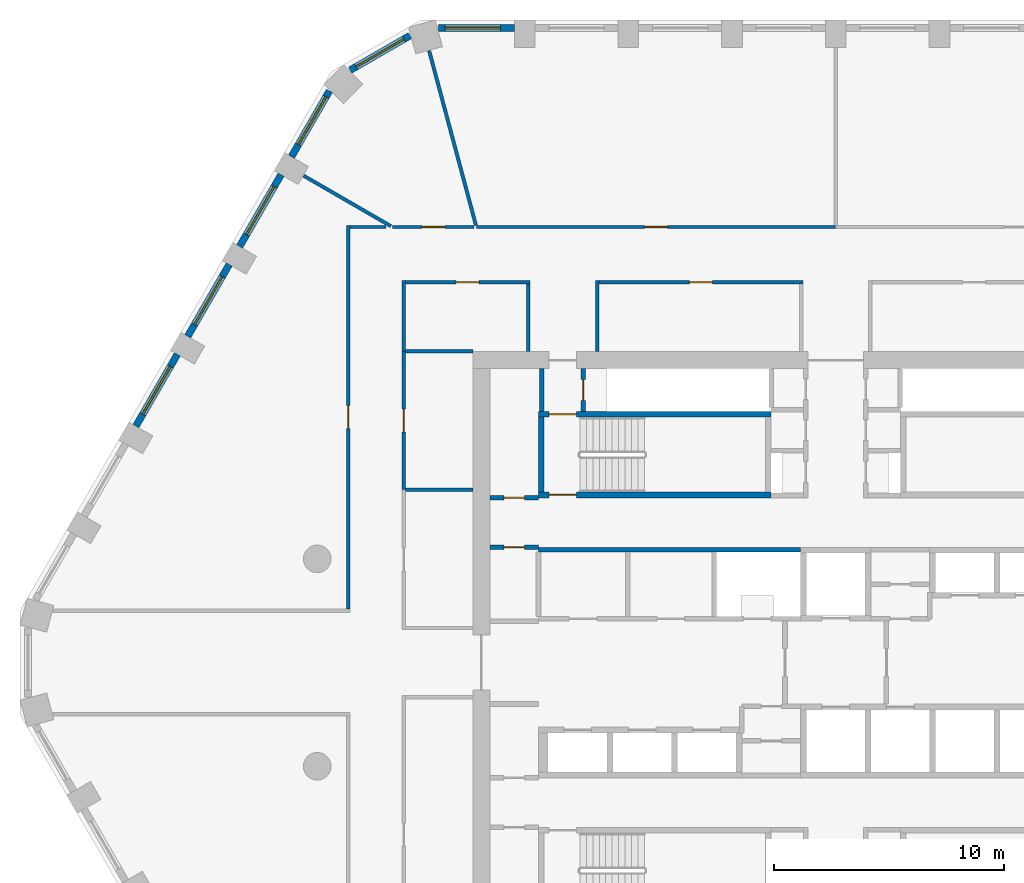
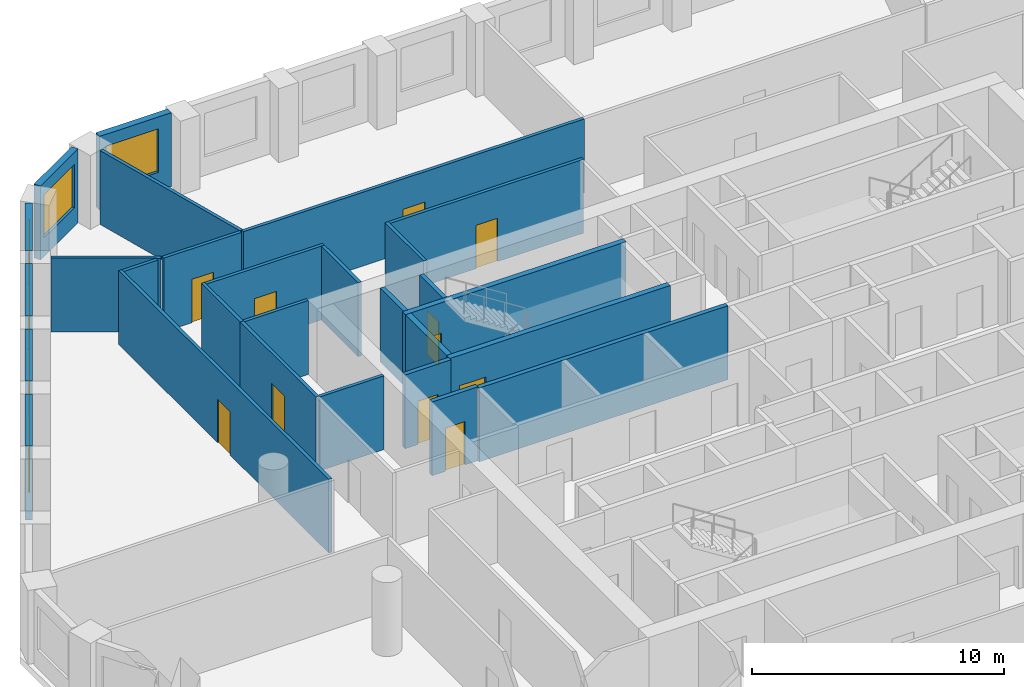
# One storey, part 6 of 10: 28 walls, 11 doors, 6 windows, 17 openings.
"""IFC4 building model written with IfcOpenShell, lengths in metres."""

from ifc_helpers import new_model, si_unit, direction, frame, frame_2d, origin, place, context, subcontext, project, spatial, rectangle, extrude, material, layer, layer_set, type_object, element, fill, save


model = new_model("IFC4")

# Units and contexts
model_context = context("Model", 3, precision=1e-05, world=origin(), true_north=direction((0.0, 1.0)))
body_context = subcontext(model_context, "Body", "Model", "MODEL_VIEW")
ifc_project = project(units=[si_unit("LENGTHUNIT", "METRE"), si_unit("AREAUNIT", "SQUARE_METRE"), si_unit("VOLUMEUNIT", "CUBIC_METRE"), si_unit("PLANEANGLEUNIT", "RADIAN"), si_unit("MASSUNIT", "GRAM", prefix="KILO")], contexts=[model_context])

# Site, building, storey
site_placement = place(None, origin())
site = spatial("IfcSite", under=ifc_project, at=site_placement, CompositionType="ELEMENT")
building_placement = place(site_placement, origin())
building = spatial("IfcBuilding", under=site, at=building_placement, Name="Dhurran Vertical Campus", CompositionType="ELEMENT")
storey_placement = place(building_placement, frame((0.0, 0.0, 152.10009765625)))
storey = spatial("IfcBuildingStorey", under=building, at=storey_placement, Name="L37", CompositionType="ELEMENT", Elevation=152.10009765625)

# Wall, opening, window
ifc_material_1 = material(Name="Precast concrete C50/60", Category="concrete")
ifc_layer_1 = layer(ifc_material_1, 0.300048828125)
ifc_layer_set_1 = layer_set([ifc_layer_1], Name="Precast concrete C50/60")
wall_type_1 = type_object("IfcWallType", Name="Precast spandrel wall 300", PredefinedType="SOLIDWALL", material=ifc_layer_set_1)
wall_1_placement = place(storey_placement, frame((-13.950439453125, 27.53271484375, 0.0), z_axis=(0.0, 0.0, 1.0), x_axis=(-1.0, 0.0, 0.0)))
wall_1 = element("IfcWall", 1, at=wall_1_placement, inside=storey, type_object=wall_type_1, Name="EW1 L37.30", PredefinedType="SOLIDWALL", context=body_context, shape_type="SweptSolid", body=[
    extrude(rectangle(XDim=3.294189453125, YDim=0.300048828125, at=frame_2d((1.64697265625, 0.0))), origin(), (0.0, 0.0, 1.0), 3.574951171875),
])
opening_1_placement = place(wall_1_placement, frame((0.599609375, 0.0, 0.89990234375)))
opening_1 = element("IfcOpeningElement", 2, at=opening_1_placement, cuts=wall_1, Name="Opening WT1", PredefinedType="OPENING", context=body_context, shape_type="SweptSolid", body=[
    extrude(rectangle(XDim=2.39990234375, YDim=2.10009765625, at=frame_2d((1.199951171875, 1.050048828125))), frame((0.0, 0.159912109375, 0.0), z_axis=(0.0, -1.0, 0.0), x_axis=(1.0, 0.0, 0.0)), (0.0, 0.0, 1.0), 0.320068359375),
])
ifc_material_2 = material(Name="Aluminium frame with solar-control glass", Category="aluminium")
window_type = type_object("IfcWindowType", Name="Punched window 2400 x 2100", PartitioningType="SINGLE_PANEL", PredefinedType="WINDOW", material=ifc_material_2)
window_1_placement = place(opening_1_placement, origin())
window_1 = element("IfcWindow", 3, at=window_1_placement, inside=storey, type_object=window_type, Name="WT1 L37.30", OverallHeight=2.10009765625, OverallWidth=2.39990234375, PartitioningType="SINGLE_PANEL", PredefinedType="WINDOW", context=body_context, shape_type="SweptSolid", body=[
    extrude(rectangle(XDim=2.39990234375, YDim=2.10009765625, at=frame_2d((1.199951171875, 1.050048828125))), frame((0.0, 0.030029296875, 0.0), z_axis=(0.0, -1.0, 0.0), x_axis=(1.0, 0.0, 0.0)), (0.0, 0.0, 1.0), 0.06005859375),
])
fill(opening_1, window_1)

wall_2_placement = place(storey_placement, frame((-18.479248046875, 27.201904296875, 0.0), z_axis=(0.0, 0.0, 1.0), x_axis=(-0.866012844897, -0.500021752, 0.0)))
wall_2 = element("IfcWall", 4, at=wall_2_placement, inside=storey, type_object=wall_type_1, Name="EW1 L37.31", PredefinedType="SOLIDWALL", context=body_context, shape_type="SweptSolid", body=[
    extrude(rectangle(XDim=2.989013671875, YDim=0.300048828125, at=frame_2d((1.49462890625, 0.0))), origin(), (0.0, 0.0, 1.0), 3.574951171875),
])
opening_2_placement = place(wall_2_placement, frame((0.294677734375, 0.0, 0.89990234375)))
opening_2 = element("IfcOpeningElement", 5, at=opening_2_placement, cuts=wall_2, Name="Opening WT1", PredefinedType="OPENING", context=body_context, shape_type="SweptSolid", body=[
    extrude(rectangle(XDim=2.39990234375, YDim=2.10009765625, at=frame_2d((1.199951171875, 1.050048828125))), frame((0.0, 0.159912109375, 0.0), z_axis=(0.0, -1.0, 0.0), x_axis=(1.0, 0.0, 0.0)), (0.0, 0.0, 1.0), 0.320068359375),
])
window_2_placement = place(opening_2_placement, origin())
window_2 = element("IfcWindow", 6, at=window_2_placement, inside=storey, type_object=window_type, Name="WT1 L37.31", OverallHeight=2.10009765625, OverallWidth=2.39990234375, PartitioningType="SINGLE_PANEL", PredefinedType="WINDOW", context=body_context, shape_type="SweptSolid", body=[
    extrude(rectangle(XDim=2.39990234375, YDim=2.10009765625, at=frame_2d((1.199951171875, 1.050048828125))), frame((0.0, 0.030029296875, 0.0), z_axis=(0.0, -1.0, 0.0), x_axis=(1.0, 0.0, 0.0)), (0.0, 0.0, 1.0), 0.06005859375),
])
fill(opening_2, window_2)

wall_3_placement = place(storey_placement, frame((-21.9716796875, 24.803466796875, 0.0), z_axis=(0.0, 0.0, 1.0), x_axis=(-0.500036802197, -0.866004154983, 0.0)))
wall_3 = element("IfcWall", 7, at=wall_3_placement, inside=storey, type_object=wall_type_1, Name="EW1 L37.32", PredefinedType="SOLIDWALL", context=body_context, shape_type="SweptSolid", body=[
    extrude(rectangle(XDim=3.294189453125, YDim=0.300048828125, at=frame_2d((1.64697265625, 0.0))), origin(), (0.0, 0.0, 1.0), 3.574951171875),
])
opening_3_placement = place(wall_3_placement, frame((0.29443359375, 0.0, 0.89990234375)))
opening_3 = element("IfcOpeningElement", 8, at=opening_3_placement, cuts=wall_3, Name="Opening WT1", PredefinedType="OPENING", context=body_context, shape_type="SweptSolid", body=[
    extrude(rectangle(XDim=2.39990234375, YDim=2.10009765625, at=frame_2d((1.199951171875, 1.050048828125))), frame((0.0, 0.159912109375, 0.0), z_axis=(0.0, -1.0, 0.0), x_axis=(1.0, 0.0, 0.0)), (0.0, 0.0, 1.0), 0.320068359375),
])
window_3_placement = place(opening_3_placement, origin())
window_3 = element("IfcWindow", 9, at=window_3_placement, inside=storey, type_object=window_type, Name="WT1 L37.32", OverallHeight=2.10009765625, OverallWidth=2.39990234375, PartitioningType="SINGLE_PANEL", PredefinedType="WINDOW", context=body_context, shape_type="SweptSolid", body=[
    extrude(rectangle(XDim=2.39990234375, YDim=2.10009765625, at=frame_2d((1.199951171875, 1.050048828125))), frame((0.0, 0.030029296875, 0.0), z_axis=(0.0, -1.0, 0.0), x_axis=(1.0, 0.0, 0.0)), (0.0, 0.0, 1.0), 0.06005859375),
])
fill(opening_3, window_3)

wall_4_placement = place(storey_placement, frame((-24.0693359375, 21.17041015625, 0.0), z_axis=(0.0, 0.0, 1.0), x_axis=(-0.500027802648, -0.866009351323, 0.0)))
wall_4 = element("IfcWall", 10, at=wall_4_placement, inside=storey, type_object=wall_type_1, Name="EW1 L37.33", PredefinedType="SOLIDWALL", context=body_context, shape_type="SweptSolid", body=[
    extrude(rectangle(XDim=3.598876953125, YDim=0.300048828125, at=frame_2d((1.79931640625, 0.0))), origin(), (0.0, 0.0, 1.0), 3.574951171875),
])
opening_4_placement = place(wall_4_placement, frame((0.599609375, 0.0, 0.89990234375)))
opening_4 = element("IfcOpeningElement", 11, at=opening_4_placement, cuts=wall_4, Name="Opening WT1", PredefinedType="OPENING", context=body_context, shape_type="SweptSolid", body=[
    extrude(rectangle(XDim=2.39990234375, YDim=2.10009765625, at=frame_2d((1.199951171875, 1.050048828125))), frame((0.0, 0.159912109375, 0.0), z_axis=(0.0, -1.0, 0.0), x_axis=(1.0, 0.0, 0.0)), (0.0, 0.0, 1.0), 0.320068359375),
])
window_4_placement = place(opening_4_placement, origin())
window_4 = element("IfcWindow", 12, at=window_4_placement, inside=storey, type_object=window_type, Name="WT1 L37.33", OverallHeight=2.10009765625, OverallWidth=2.39990234375, PartitioningType="SINGLE_PANEL", PredefinedType="WINDOW", context=body_context, shape_type="SweptSolid", body=[
    extrude(rectangle(XDim=2.39990234375, YDim=2.10009765625, at=frame_2d((1.199951171875, 1.050048828125))), frame((0.0, 0.030029296875, 0.0), z_axis=(0.0, -1.0, 0.0), x_axis=(1.0, 0.0, 0.0)), (0.0, 0.0, 1.0), 0.06005859375),
])
fill(opening_4, window_4)

wall_5_placement = place(storey_placement, frame((-26.3193359375, 17.273193359375, 0.0), z_axis=(0.0, 0.0, 1.0), x_axis=(-0.500027802648, -0.866009351323, 0.0)))
wall_5 = element("IfcWall", 13, at=wall_5_placement, inside=storey, type_object=wall_type_1, Name="EW1 L37.34", PredefinedType="SOLIDWALL", context=body_context, shape_type="SweptSolid", body=[
    extrude(rectangle(XDim=3.598876953125, YDim=0.300048828125, at=frame_2d((1.79931640625, 0.0))), origin(), (0.0, 0.0, 1.0), 3.574951171875),
])
opening_5_placement = place(wall_5_placement, frame((0.599609375, 0.0, 0.89990234375)))
opening_5 = element("IfcOpeningElement", 14, at=opening_5_placement, cuts=wall_5, Name="Opening WT1", PredefinedType="OPENING", context=body_context, shape_type="SweptSolid", body=[
    extrude(rectangle(XDim=2.39990234375, YDim=2.10009765625, at=frame_2d((1.199951171875, 1.050048828125))), frame((0.0, 0.159912109375, 0.0), z_axis=(0.0, -1.0, 0.0), x_axis=(1.0, 0.0, 0.0)), (0.0, 0.0, 1.0), 0.320068359375),
])
window_5_placement = place(opening_5_placement, origin())
window_5 = element("IfcWindow", 15, at=window_5_placement, inside=storey, type_object=window_type, Name="WT1 L37.34", OverallHeight=2.10009765625, OverallWidth=2.39990234375, PartitioningType="SINGLE_PANEL", PredefinedType="WINDOW", context=body_context, shape_type="SweptSolid", body=[
    extrude(rectangle(XDim=2.39990234375, YDim=2.10009765625, at=frame_2d((1.199951171875, 1.050048828125))), frame((0.0, 0.030029296875, 0.0), z_axis=(0.0, -1.0, 0.0), x_axis=(1.0, 0.0, 0.0)), (0.0, 0.0, 1.0), 0.06005859375),
])
fill(opening_5, window_5)

wall_6_placement = place(storey_placement, frame((-28.5693359375, 13.376220703125, 0.0), z_axis=(0.0, 0.0, 1.0), x_axis=(-0.500027802648, -0.866009351323, 0.0)))
wall_6 = element("IfcWall", 16, at=wall_6_placement, inside=storey, type_object=wall_type_1, Name="EW1 L37.35", PredefinedType="SOLIDWALL", context=body_context, shape_type="SweptSolid", body=[
    extrude(rectangle(XDim=3.598876953125, YDim=0.300048828125, at=frame_2d((1.79931640625, 0.0))), origin(), (0.0, 0.0, 1.0), 3.574951171875),
])
opening_6_placement = place(wall_6_placement, frame((0.599609375, 0.0, 0.89990234375)))
opening_6 = element("IfcOpeningElement", 17, at=opening_6_placement, cuts=wall_6, Name="Opening WT1", PredefinedType="OPENING", context=body_context, shape_type="SweptSolid", body=[
    extrude(rectangle(XDim=2.39990234375, YDim=2.10009765625, at=frame_2d((1.199951171875, 1.050048828125))), frame((0.0, 0.159912109375, 0.0), z_axis=(0.0, -1.0, 0.0), x_axis=(1.0, 0.0, 0.0)), (0.0, 0.0, 1.0), 0.320068359375),
])
window_6_placement = place(opening_6_placement, origin())
window_6 = element("IfcWindow", 18, at=window_6_placement, inside=storey, type_object=window_type, Name="WT1 L37.35", OverallHeight=2.10009765625, OverallWidth=2.39990234375, PartitioningType="SINGLE_PANEL", PredefinedType="WINDOW", context=body_context, shape_type="SweptSolid", body=[
    extrude(rectangle(XDim=2.39990234375, YDim=2.10009765625, at=frame_2d((1.199951171875, 1.050048828125))), frame((0.0, 0.030029296875, 0.0), z_axis=(0.0, -1.0, 0.0), x_axis=(1.0, 0.0, 0.0)), (0.0, 0.0, 1.0), 0.06005859375),
])
fill(opening_6, window_6)

# Wall
ifc_material_3 = material(Name="Fire-rated masonry blockwork", Category="masonry")
ifc_layer_2 = layer(ifc_material_3, 0.199951171875)
ifc_layer_set_2 = layer_set([ifc_layer_2], Name="Fire-rated masonry blockwork")
wall_type_2 = type_object("IfcWallType", Name="co-FIRE-PARTITION-200", PredefinedType="PARTITIONING", material=ifc_layer_set_2)
wall_7_placement = place(storey_placement, frame((-12.75, 10.89990234375, 0.0), z_axis=(0.0, 0.0, 1.0), x_axis=(0.0, 1.0, 0.0)))
element("IfcWall", 19, at=wall_7_placement, inside=storey, type_object=wall_type_2, Name="Core partition pass-ST1-o L37", PredefinedType="PARTITIONING", context=body_context, shape_type="SweptSolid", body=[
    extrude(rectangle(XDim=1.85009765625, YDim=0.199951171875, at=frame_2d((0.925048828125, 0.0))), origin(), (0.0, 0.0, 1.0), 3.574951171875),
])

# Wall, opening, door
wall_8_placement = place(storey_placement, frame((-10.949951171875, 10.89990234375, 0.0), z_axis=(0.0, 0.0, 1.0), x_axis=(0.0, 1.0, 0.0)))
wall_8 = element("IfcWall", 20, at=wall_8_placement, inside=storey, type_object=wall_type_2, Name="Core partition pass-ST1-i L37", PredefinedType="PARTITIONING", context=body_context, shape_type="SweptSolid", body=[
    extrude(rectangle(XDim=1.85009765625, YDim=0.199951171875, at=frame_2d((0.925048828125, 0.0))), origin(), (0.0, 0.0, 1.0), 3.574951171875),
])
opening_7_placement = place(wall_8_placement, frame((0.47509765625, 0.0, 0.0)))
opening_7 = element("IfcOpeningElement", 21, at=opening_7_placement, cuts=wall_8, Name="Opening T10-C11", PredefinedType="OPENING", context=body_context, shape_type="SweptSolid", body=[
    extrude(rectangle(XDim=0.89990234375, YDim=2.10009765625, at=frame_2d((0.449951171875, 1.050048828125))), frame((0.0, 0.10986328125, 0.0), z_axis=(0.0, -1.0, 0.0), x_axis=(1.0, 0.0, 0.0)), (0.0, 0.0, 1.0), 0.219970703125),
])
ifc_material_4 = material(Name="Fire-rated timber door set", Category="wood")
door_type_1 = type_object("IfcDoorType", Name="co-D-ROOM 900x2100", OperationType="SINGLE_SWING_LEFT", PredefinedType="DOOR", material=ifc_material_4)
door_1_placement = place(opening_7_placement, origin())
door_1 = element("IfcDoor", 22, at=door_1_placement, inside=storey, type_object=door_type_1, Name="Riser room door L37", OperationType="SINGLE_SWING_LEFT", OverallHeight=2.10009765625, OverallWidth=0.89990234375, PredefinedType="DOOR", context=body_context, shape_type="SweptSolid", body=[
    extrude(rectangle(XDim=0.89990234375, YDim=2.10009765625, at=frame_2d((0.449951171875, 1.050048828125))), frame((0.0, 0.02490234375, 0.0), z_axis=(0.0, -1.0, 0.0), x_axis=(1.0, 0.0, 0.0)), (0.0, 0.0, 1.0), 0.050048828125),
])
fill(opening_7, door_1)

wall_9_placement = place(storey_placement, frame((-15.0, 7.14990234375, 0.0), z_axis=(0.0, 0.0, 1.0), x_axis=(1.0, 0.0, 0.0)))
wall_9 = element("IfcWall", 23, at=wall_9_placement, inside=storey, type_object=wall_type_2, Name="Core partition en-NW-w L37", PredefinedType="PARTITIONING", context=body_context, shape_type="SweptSolid", body=[
    extrude(rectangle(XDim=2.10009765625, YDim=0.199951171875, at=frame_2d((1.050048828125, 0.0))), origin(), (0.0, 0.0, 1.0), 3.574951171875),
])
opening_8_placement = place(wall_9_placement, frame((0.60009765625, 0.0, 0.0)))
opening_8 = element("IfcOpeningElement", 24, at=opening_8_placement, cuts=wall_9, Name="Opening T10-C15", PredefinedType="OPENING", context=body_context, shape_type="SweptSolid", body=[
    extrude(rectangle(XDim=0.89990234375, YDim=2.10009765625, at=frame_2d((0.449951171875, 1.050048828125))), frame((0.0, 0.10986328125, 0.0), z_axis=(0.0, -1.0, 0.0), x_axis=(1.0, 0.0, 0.0)), (0.0, 0.0, 1.0), 0.219970703125),
])
door_2_placement = place(opening_8_placement, origin())
door_2 = element("IfcDoor", 25, at=door_2_placement, inside=storey, type_object=door_type_1, Name="Cleaner's store door L37", OperationType="SINGLE_SWING_LEFT", OverallHeight=2.10009765625, OverallWidth=0.89990234375, PredefinedType="DOOR", context=body_context, shape_type="SweptSolid", body=[
    extrude(rectangle(XDim=0.89990234375, YDim=2.10009765625, at=frame_2d((0.449951171875, 1.050048828125))), frame((0.0, 0.02490234375, 0.0), z_axis=(0.0, -1.0, 0.0), x_axis=(1.0, 0.0, 0.0)), (0.0, 0.0, 1.0), 0.050048828125),
])
fill(opening_8, door_2)

wall_10_placement = place(storey_placement, frame((-15.0, 5.0, 0.0), z_axis=(0.0, 0.0, 1.0), x_axis=(1.0, 0.0, 0.0)))
wall_10 = element("IfcWall", 26, at=wall_10_placement, inside=storey, type_object=wall_type_2, Name="Core partition es-NW-w L37", PredefinedType="PARTITIONING", context=body_context, shape_type="SweptSolid", body=[
    extrude(rectangle(XDim=2.10009765625, YDim=0.199951171875, at=frame_2d((1.050048828125, 0.0))), origin(), (0.0, 0.0, 1.0), 3.574951171875),
])
opening_9_placement = place(wall_10_placement, frame((0.60009765625, 0.0, 0.0)))
opening_9 = element("IfcOpeningElement", 27, at=opening_9_placement, cuts=wall_10, Name="Opening T10-C16", PredefinedType="OPENING", context=body_context, shape_type="SweptSolid", body=[
    extrude(rectangle(XDim=0.89990234375, YDim=2.10009765625, at=frame_2d((0.449951171875, 1.050048828125))), frame((0.0, 0.10986328125, 0.0), z_axis=(0.0, -1.0, 0.0), x_axis=(1.0, 0.0, 0.0)), (0.0, 0.0, 1.0), 0.219970703125),
])
door_3_placement = place(opening_9_placement, origin())
door_3 = element("IfcDoor", 28, at=door_3_placement, inside=storey, type_object=door_type_1, Name="Communications room door L37", OperationType="SINGLE_SWING_LEFT", OverallHeight=2.10009765625, OverallWidth=0.89990234375, PredefinedType="DOOR", context=body_context, shape_type="SweptSolid", body=[
    extrude(rectangle(XDim=0.89990234375, YDim=2.10009765625, at=frame_2d((0.449951171875, 1.050048828125))), frame((0.0, 0.02490234375, 0.0), z_axis=(0.0, -1.0, 0.0), x_axis=(1.0, 0.0, 0.0)), (0.0, 0.0, 1.0), 0.050048828125),
])
fill(opening_9, door_3)

# Wall
wall_11_placement = place(storey_placement, frame((-12.89990234375, 4.89990234375, 0.0), z_axis=(0.0, 0.0, 1.0), x_axis=(1.0, 0.0, 0.0)))
element("IfcWall", 29, at=wall_11_placement, inside=storey, type_object=wall_type_2, Name="Core partition fr-N0-b L37", PredefinedType="PARTITIONING", context=body_context, shape_type="SweptSolid", body=[
    extrude(rectangle(XDim=11.375, YDim=0.199951171875, at=frame_2d((5.6875, 0.0))), origin(), (0.0, 0.0, 1.0), 3.574951171875),
])

# Wall, opening, door
ifc_material_5 = material(Name="Concrete C40/50", Category="concrete")
ifc_layer_3 = layer(ifc_material_5, 0.25)
ifc_layer_set_3 = layer_set([ifc_layer_3], Name="Concrete C40/50")
wall_type_3 = type_object("IfcWallType", Name="co-STAIR-WALL-250", PredefinedType="SHEAR", material=ifc_layer_set_3)
wall_12_placement = place(storey_placement, frame((-12.89990234375, 7.27490234375, 0.0), z_axis=(0.0, 0.0, 1.0), x_axis=(1.0, 0.0, 0.0)))
wall_12 = element("IfcWall", 30, at=wall_12_placement, inside=storey, type_object=wall_type_3, Name="Stair ST1 enclosure wall L37", PredefinedType="SHEAR", context=body_context, shape_type="SweptSolid", body=[
    extrude(rectangle(XDim=10.099853515625, YDim=0.25, at=frame_2d((5.0498046875, 0.0))), origin(), (0.0, 0.0, 1.0), 3.574951171875),
])
opening_10_placement = place(wall_12_placement, frame((0.449951171875, 0.0, 0.0)))
opening_10 = element("IfcOpeningElement", 31, at=opening_10_placement, cuts=wall_12, Name="Opening SD1", PredefinedType="OPENING", context=body_context, shape_type="SweptSolid", body=[
    extrude(rectangle(XDim=1.199951171875, YDim=2.10009765625, at=frame_2d((0.60009765625, 1.050048828125))), frame((0.0, 0.135009765625, 0.0), z_axis=(0.0, -1.0, 0.0), x_axis=(1.0, 0.0, 0.0)), (0.0, 0.0, 1.0), 0.27001953125),
])
ifc_material_6 = material(Name="Fire-rated steel door set", Category="steel")
door_type_2 = type_object("IfcDoorType", Name="co-D-STAIR 1200x2100", OperationType="SINGLE_SWING_LEFT", PredefinedType="DOOR", material=ifc_material_6)
door_4_placement = place(opening_10_placement, origin())
door_4 = element("IfcDoor", 32, at=door_4_placement, inside=storey, type_object=door_type_2, Name="Stair ST1 door L37", OperationType="SINGLE_SWING_LEFT", OverallHeight=2.10009765625, OverallWidth=1.199951171875, PredefinedType="DOOR", context=body_context, shape_type="SweptSolid", body=[
    extrude(rectangle(XDim=1.199951171875, YDim=2.10009765625, at=frame_2d((0.60009765625, 1.050048828125))), frame((0.0, 0.02490234375, 0.0), z_axis=(0.0, -1.0, 0.0), x_axis=(1.0, 0.0, 0.0)), (0.0, 0.0, 1.0), 0.050048828125),
])
fill(opening_10, door_4)

wall_13_placement = place(storey_placement, frame((-12.89990234375, 10.77490234375, 0.0), z_axis=(0.0, 0.0, 1.0), x_axis=(1.0, 0.0, 0.0)))
wall_13 = element("IfcWall", 33, at=wall_13_placement, inside=storey, type_object=wall_type_3, Name="Stair ST1 enclosure wall L37", PredefinedType="SHEAR", context=body_context, shape_type="SweptSolid", body=[
    extrude(rectangle(XDim=10.099853515625, YDim=0.25, at=frame_2d((5.0498046875, 0.0))), origin(), (0.0, 0.0, 1.0), 3.574951171875),
])
opening_11_placement = place(wall_13_placement, frame((0.449951171875, 0.0, 0.0)))
opening_11 = element("IfcOpeningElement", 34, at=opening_11_placement, cuts=wall_13, Name="Opening XS1", PredefinedType="OPENING", context=body_context, shape_type="SweptSolid", body=[
    extrude(rectangle(XDim=1.199951171875, YDim=2.10009765625, at=frame_2d((0.60009765625, 1.050048828125))), frame((0.0, 0.135009765625, 0.0), z_axis=(0.0, -1.0, 0.0), x_axis=(1.0, 0.0, 0.0)), (0.0, 0.0, 1.0), 0.27001953125),
])
ifc_material_7 = material(Name="Fire-rated steel door set", Category="steel")
door_type_3 = type_object("IfcDoorType", Name="co-D-STAIR-EXIT 1200x2100", OperationType="SINGLE_SWING_RIGHT", PredefinedType="DOOR", material=ifc_material_7)
door_5_placement = place(opening_11_placement, origin())
door_5 = element("IfcDoor", 35, at=door_5_placement, inside=storey, type_object=door_type_3, Name="Stair ST1 discharge door L37", OperationType="SINGLE_SWING_RIGHT", OverallHeight=2.10009765625, OverallWidth=1.199951171875, PredefinedType="DOOR", context=body_context, shape_type="SweptSolid", body=[
    extrude(rectangle(XDim=1.199951171875, YDim=2.10009765625, at=frame_2d((0.60009765625, 1.050048828125))), frame((0.0, 0.02490234375, 0.0), z_axis=(0.0, -1.0, 0.0), x_axis=(1.0, 0.0, 0.0)), (0.0, 0.0, 1.0), 0.050048828125),
])
fill(opening_11, door_5)

# Wall
wall_14_placement = place(storey_placement, frame((-12.77490234375, 7.39990234375, 0.0), z_axis=(0.0, 0.0, 1.0), x_axis=(0.0, 1.0, 0.0)))
element("IfcWall", 36, at=wall_14_placement, inside=storey, type_object=wall_type_3, Name="Stair ST1 enclosure wall L37", PredefinedType="SHEAR", context=body_context, shape_type="SweptSolid", body=[
    extrude(rectangle(XDim=3.25, YDim=0.25, at=frame_2d((1.625, 0.0))), origin(), (0.0, 0.0, 1.0), 3.574951171875),
])

# Wall, opening, door
ifc_material_8 = material(Name="Gypsum board corridor wall on steel studs", Category="steel")
ifc_layer_4 = layer(ifc_material_8, 0.14990234375)
ifc_layer_set_4 = layer_set([ifc_layer_4], Name="Gypsum board corridor wall on steel studs")
wall_type_4 = type_object("IfcWallType", Name="fl-CW-150 corridor wall", PredefinedType="PARTITIONING", material=ifc_layer_set_4)
wall_15_placement = place(storey_placement, frame((-21.14990234375, 18.97509765625, 0.0), z_axis=(0.0, 0.0, 1.0), x_axis=(0.0, -1.0, 0.0)))
wall_15 = element("IfcWall", 37, at=wall_15_placement, inside=storey, type_object=wall_type_4, Name="Partition 37-07", PredefinedType="PARTITIONING", context=body_context, shape_type="SweptSolid", body=[
    extrude(rectangle(XDim=16.650146484375, YDim=0.14990234375, at=frame_2d((8.3251953125, 0.0))), origin(), (0.0, 0.0, 1.0), 3.574951171875),
])
opening_12_placement = place(wall_15_placement, frame((7.824951171875, 0.0, 0.0)))
opening_12 = element("IfcOpeningElement", 38, at=opening_12_placement, cuts=wall_15, Name="Opening T10.02", PredefinedType="OPENING", context=body_context, shape_type="SweptSolid", body=[
    extrude(rectangle(XDim=1.0, YDim=2.10009765625, at=frame_2d((0.5, 1.050048828125))), frame((0.0, 0.0849609375, 0.0), z_axis=(0.0, -1.0, 0.0), x_axis=(1.0, 0.0, 0.0)), (0.0, 0.0, 1.0), 0.169921875),
])
ifc_material_9 = material(Name="Solid-core timber door set, fire-rated", Category="wood")
door_type_4 = type_object("IfcDoorType", Name="fl-D-1000x2100", OperationType="SINGLE_SWING_LEFT", PredefinedType="DOOR", material=ifc_material_9)
door_6_placement = place(opening_12_placement, origin())
door_6 = element("IfcDoor", 39, at=door_6_placement, inside=storey, type_object=door_type_4, Name="Door 37.02", OperationType="SINGLE_SWING_LEFT", OverallHeight=2.10009765625, OverallWidth=1.0, PredefinedType="DOOR", context=body_context, shape_type="SweptSolid", body=[
    extrude(rectangle(XDim=1.0, YDim=2.10009765625, at=frame_2d((0.5, 1.050048828125))), frame((0.0, 0.02490234375, 0.0), z_axis=(0.0, -1.0, 0.0), x_axis=(1.0, 0.0, 0.0)), (0.0, 0.0, 1.0), 0.050048828125),
])
fill(opening_12, door_6)

# Wall
wall_16_placement = place(storey_placement, frame((-19.510986328125, 18.89990234375, 0.0), z_axis=(0.0, 0.0, 1.0), x_axis=(-1.0, 0.0, 0.0)))
element("IfcWall", 40, at=wall_16_placement, inside=storey, type_object=wall_type_4, Name="Partition 37-08", PredefinedType="PARTITIONING", context=body_context, shape_type="SweptSolid", body=[
    extrude(rectangle(XDim=1.56396484375, YDim=0.14990234375, at=frame_2d((0.781982421875, 0.0))), origin(), (0.0, 0.0, 1.0), 3.574951171875),
])

# Wall, opening, door
wall_17_placement = place(storey_placement, frame((-15.68798828125, 18.89990234375, 0.0), z_axis=(0.0, 0.0, 1.0), x_axis=(-1.0, 0.0, 0.0)))
wall_17 = element("IfcWall", 41, at=wall_17_placement, inside=storey, type_object=wall_type_4, Name="Partition 37-10", PredefinedType="PARTITIONING", context=body_context, shape_type="SweptSolid", body=[
    extrude(rectangle(XDim=3.548095703125, YDim=0.14990234375, at=frame_2d((1.77392578125, 0.0))), origin(), (0.0, 0.0, 1.0), 3.574951171875),
])
opening_13_placement = place(wall_17_placement, frame((1.27392578125, 0.0, 0.0)))
opening_13 = element("IfcOpeningElement", 42, at=opening_13_placement, cuts=wall_17, Name="Opening T10.03", PredefinedType="OPENING", context=body_context, shape_type="SweptSolid", body=[
    extrude(rectangle(XDim=1.0, YDim=2.10009765625, at=frame_2d((0.5, 1.050048828125))), frame((0.0, 0.0849609375, 0.0), z_axis=(0.0, -1.0, 0.0), x_axis=(1.0, 0.0, 0.0)), (0.0, 0.0, 1.0), 0.169921875),
])
door_7_placement = place(opening_13_placement, origin())
door_7 = element("IfcDoor", 43, at=door_7_placement, inside=storey, type_object=door_type_4, Name="Door 37.03", OperationType="SINGLE_SWING_RIGHT", OverallHeight=2.10009765625, OverallWidth=1.0, PredefinedType="DOOR", context=body_context, shape_type="SweptSolid", body=[
    extrude(rectangle(XDim=1.0, YDim=2.10009765625, at=frame_2d((0.5, 1.050048828125))), frame((0.0, 0.02490234375, 0.0), z_axis=(0.0, -1.0, 0.0), x_axis=(1.0, 0.0, 0.0)), (0.0, 0.0, 1.0), 0.050048828125),
])
fill(opening_13, door_7)

wall_18_placement = place(storey_placement, frame((-18.75, 7.5, 0.0), z_axis=(0.0, 0.0, 1.0), x_axis=(0.0, 1.0, 0.0)))
wall_18 = element("IfcWall", 44, at=wall_18_placement, inside=storey, type_object=wall_type_4, Name="Partition 37-18", PredefinedType="PARTITIONING", context=body_context, shape_type="SweptSolid", body=[
    extrude(rectangle(XDim=6.0, YDim=0.14990234375, at=frame_2d((3.0, 0.0))), origin(), (0.0, 0.0, 1.0), 3.574951171875),
])
opening_14_placement = place(wall_18_placement, frame((2.5, 0.0, 0.0)))
opening_14 = element("IfcOpeningElement", 45, at=opening_14_placement, cuts=wall_18, Name="Opening T10.07", PredefinedType="OPENING", context=body_context, shape_type="SweptSolid", body=[
    extrude(rectangle(XDim=1.0, YDim=2.10009765625, at=frame_2d((0.5, 1.050048828125))), frame((0.0, 0.0849609375, 0.0), z_axis=(0.0, -1.0, 0.0), x_axis=(1.0, 0.0, 0.0)), (0.0, 0.0, 1.0), 0.169921875),
])
door_8_placement = place(opening_14_placement, origin())
door_8 = element("IfcDoor", 46, at=door_8_placement, inside=storey, type_object=door_type_4, Name="Door 37.07", OperationType="SINGLE_SWING_LEFT", OverallHeight=2.10009765625, OverallWidth=1.0, PredefinedType="DOOR", context=body_context, shape_type="SweptSolid", body=[
    extrude(rectangle(XDim=1.0, YDim=2.10009765625, at=frame_2d((0.5, 1.050048828125))), frame((0.0, 0.02490234375, 0.0), z_axis=(0.0, -1.0, 0.0), x_axis=(1.0, 0.0, 0.0)), (0.0, 0.0, 1.0), 0.050048828125),
])
fill(opening_14, door_8)

# Wall
wall_19_placement = place(storey_placement, frame((-18.75, 13.5, 0.0), z_axis=(0.0, 0.0, 1.0), x_axis=(0.0, 1.0, 0.0)))
element("IfcWall", 47, at=wall_19_placement, inside=storey, type_object=wall_type_4, Name="Partition 37-20", PredefinedType="PARTITIONING", context=body_context, shape_type="SweptSolid", body=[
    extrude(rectangle(XDim=3.074951171875, YDim=0.14990234375, at=frame_2d((1.53759765625, 0.0))), origin(), (0.0, 0.0, 1.0), 3.574951171875),
])

# Wall, opening, door
wall_20_placement = place(storey_placement, frame((-18.675048828125, 16.5, 0.0), z_axis=(0.0, 0.0, 1.0), x_axis=(1.0, 0.0, 0.0)))
wall_20 = element("IfcWall", 48, at=wall_20_placement, inside=storey, type_object=wall_type_4, Name="Partition 37-22", PredefinedType="PARTITIONING", context=body_context, shape_type="SweptSolid", body=[
    extrude(rectangle(XDim=5.400146484375, YDim=0.14990234375, at=frame_2d((2.7001953125, 0.0))), origin(), (0.0, 0.0, 1.0), 3.574951171875),
])
opening_15_placement = place(wall_20_placement, frame((2.199951171875, 0.0, 0.0)))
opening_15 = element("IfcOpeningElement", 49, at=opening_15_placement, cuts=wall_20, Name="Opening T10.09", PredefinedType="OPENING", context=body_context, shape_type="SweptSolid", body=[
    extrude(rectangle(XDim=1.0, YDim=2.10009765625, at=frame_2d((0.5, 1.050048828125))), frame((0.0, 0.0849609375, 0.0), z_axis=(0.0, -1.0, 0.0), x_axis=(1.0, 0.0, 0.0)), (0.0, 0.0, 1.0), 0.169921875),
])
door_9_placement = place(opening_15_placement, origin())
door_9 = element("IfcDoor", 50, at=door_9_placement, inside=storey, type_object=door_type_4, Name="Door 37.09", OperationType="SINGLE_SWING_RIGHT", OverallHeight=2.10009765625, OverallWidth=1.0, PredefinedType="DOOR", context=body_context, shape_type="SweptSolid", body=[
    extrude(rectangle(XDim=1.0, YDim=2.10009765625, at=frame_2d((0.5, 1.050048828125))), frame((0.0, 0.02490234375, 0.0), z_axis=(0.0, -1.0, 0.0), x_axis=(1.0, 0.0, 0.0)), (0.0, 0.0, 1.0), 0.050048828125),
])
fill(opening_15, door_9)

wall_21_placement = place(storey_placement, frame((0.0, 18.89990234375, 0.0), z_axis=(0.0, 0.0, 1.0), x_axis=(-1.0, 0.0, 0.0)))
wall_21 = element("IfcWall", 51, at=wall_21_placement, inside=storey, type_object=wall_type_4, Name="Partition 37-24", PredefinedType="PARTITIONING", context=body_context, shape_type="SweptSolid", body=[
    extrude(rectangle(XDim=15.593017578125, YDim=0.14990234375, at=frame_2d((7.79638671875, 0.0))), origin(), (0.0, 0.0, 1.0), 3.574951171875),
])
opening_16_placement = place(wall_21_placement, frame((7.29638671875, 0.0, 0.0)))
opening_16 = element("IfcOpeningElement", 52, at=opening_16_placement, cuts=wall_21, Name="Opening T10.10", PredefinedType="OPENING", context=body_context, shape_type="SweptSolid", body=[
    extrude(rectangle(XDim=1.0, YDim=2.10009765625, at=frame_2d((0.5, 1.050048828125))), frame((0.0, 0.0849609375, 0.0), z_axis=(0.0, -1.0, 0.0), x_axis=(1.0, 0.0, 0.0)), (0.0, 0.0, 1.0), 0.169921875),
])
door_10_placement = place(opening_16_placement, origin())
door_10 = element("IfcDoor", 53, at=door_10_placement, inside=storey, type_object=door_type_4, Name="Door 37.10", OperationType="SINGLE_SWING_LEFT", OverallHeight=2.10009765625, OverallWidth=1.0, PredefinedType="DOOR", context=body_context, shape_type="SweptSolid", body=[
    extrude(rectangle(XDim=1.0, YDim=2.10009765625, at=frame_2d((0.5, 1.050048828125))), frame((0.0, 0.02490234375, 0.0), z_axis=(0.0, -1.0, 0.0), x_axis=(1.0, 0.0, 0.0)), (0.0, 0.0, 1.0), 0.050048828125),
])
fill(opening_16, door_10)

# Walls
wall_22_placement = place(storey_placement, frame((-13.35009765625, 16.425048828125, 0.0), z_axis=(0.0, 0.0, 1.0), x_axis=(0.0, -1.0, 0.0)))
element("IfcWall", 54, at=wall_22_placement, inside=storey, type_object=wall_type_4, Name="Partition 37-28", PredefinedType="PARTITIONING", context=body_context, shape_type="SweptSolid", body=[
    extrude(rectangle(XDim=2.925048828125, YDim=0.14990234375, at=frame_2d((1.46240234375, 0.0))), origin(), (0.0, 0.0, 1.0), 3.574951171875),
])
wall_23_placement = place(storey_placement, frame((-10.35009765625, 13.5, 0.0), z_axis=(0.0, 0.0, 1.0), x_axis=(0.0, 1.0, 0.0)))
element("IfcWall", 55, at=wall_23_placement, inside=storey, type_object=wall_type_4, Name="Partition 37-31", PredefinedType="PARTITIONING", context=body_context, shape_type="SweptSolid", body=[
    extrude(rectangle(XDim=3.074951171875, YDim=0.14990234375, at=frame_2d((1.53759765625, 0.0))), origin(), (0.0, 0.0, 1.0), 3.574951171875),
])

# Wall, opening, door
wall_24_placement = place(storey_placement, frame((-10.27490234375, 16.5, 0.0), z_axis=(0.0, 0.0, 1.0), x_axis=(1.0, 0.0, 0.0)))
wall_24 = element("IfcWall", 56, at=wall_24_placement, inside=storey, type_object=wall_type_4, Name="Partition 37-32", PredefinedType="PARTITIONING", context=body_context, shape_type="SweptSolid", body=[
    extrude(rectangle(XDim=8.849853515625, YDim=0.14990234375, at=frame_2d((4.4248046875, 0.0))), origin(), (0.0, 0.0, 1.0), 3.574951171875),
])
opening_17_placement = place(wall_24_placement, frame((3.925048828125, 0.0, 0.0)))
opening_17 = element("IfcOpeningElement", 57, at=opening_17_placement, cuts=wall_24, Name="Opening T10.12", PredefinedType="OPENING", context=body_context, shape_type="SweptSolid", body=[
    extrude(rectangle(XDim=1.0, YDim=2.10009765625, at=frame_2d((0.5, 1.050048828125))), frame((0.0, 0.0849609375, 0.0), z_axis=(0.0, -1.0, 0.0), x_axis=(1.0, 0.0, 0.0)), (0.0, 0.0, 1.0), 0.169921875),
])
door_11_placement = place(opening_17_placement, origin())
door_11 = element("IfcDoor", 58, at=door_11_placement, inside=storey, type_object=door_type_4, Name="Door 37.12", OperationType="SINGLE_SWING_LEFT", OverallHeight=2.10009765625, OverallWidth=1.0, PredefinedType="DOOR", context=body_context, shape_type="SweptSolid", body=[
    extrude(rectangle(XDim=1.0, YDim=2.10009765625, at=frame_2d((0.5, 1.050048828125))), frame((0.0, 0.02490234375, 0.0), z_axis=(0.0, -1.0, 0.0), x_axis=(1.0, 0.0, 0.0)), (0.0, 0.0, 1.0), 0.050048828125),
])
fill(opening_17, door_11)

# Walls
ifc_material_10 = material(Name="Gypsum board partition on steel studs", Category="steel")
ifc_layer_5 = layer(ifc_material_10, 0.14990234375)
ifc_layer_set_5 = layer_set([ifc_layer_5], Name="Gypsum board partition on steel studs")
wall_type_5 = type_object("IfcWallType", Name="fl-PW-150 fixed partition", PredefinedType="PARTITIONING", material=ifc_layer_set_5)
wall_25_placement = place(storey_placement, frame((-23.09033203125, 21.1259765625, 0.0), z_axis=(0.0, 0.0, 1.0), x_axis=(0.865968165673, -0.500099126214, 0.0)))
element("IfcWall", 59, at=wall_25_placement, inside=storey, type_object=wall_type_5, Name="Partition 37-04", PredefinedType="PARTITIONING", context=body_context, shape_type="SweptSolid", body=[
    extrude(rectangle(XDim=4.3759765625, YDim=0.14990234375, at=frame_2d((2.18798828125, 0.0))), origin(), (0.0, 0.0, 1.0), 3.574951171875),
])
for number, where, z_axis, x_axis, name in (
    (60, (-18.675048828125, 7.5, 0.0), (0.0, 0.0, 1.0), (1.0, 0.0, 0.0), "Partition 37-19"),
    (61, (-18.675048828125, 13.5, 0.0), (0.0, 0.0, 1.0), (1.0, 0.0, 0.0), "Partition 37-21"),
):
    element("IfcWall", number, at=place(storey_placement, frame(where, z_axis=z_axis, x_axis=x_axis)), inside=storey, type_object=wall_type_5, Name=name, PredefinedType="PARTITIONING", context=body_context, shape_type="SweptSolid", body=[
        extrude(rectangle(XDim=2.925048828125, YDim=0.14990234375, at=frame_2d((1.46240234375, 0.0))), origin(), (0.0, 0.0, 1.0), 3.574951171875),
    ])
wall_26_placement = place(storey_placement, frame((-17.642822265625, 26.548828125, 0.0), z_axis=(0.0, 0.0, 1.0), x_axis=(0.258869363255, -0.965912342176, 0.0)))
element("IfcWall", 62, at=wall_26_placement, inside=storey, type_object=wall_type_5, Name="Partition 37-23", PredefinedType="PARTITIONING", context=body_context, shape_type="SweptSolid", body=[
    extrude(rectangle(XDim=7.84375, YDim=0.14990234375, at=frame_2d((3.921875, 0.0))), origin(), (0.0, 0.0, 1.0), 3.574951171875),
])

save(model, "model.ifc")
